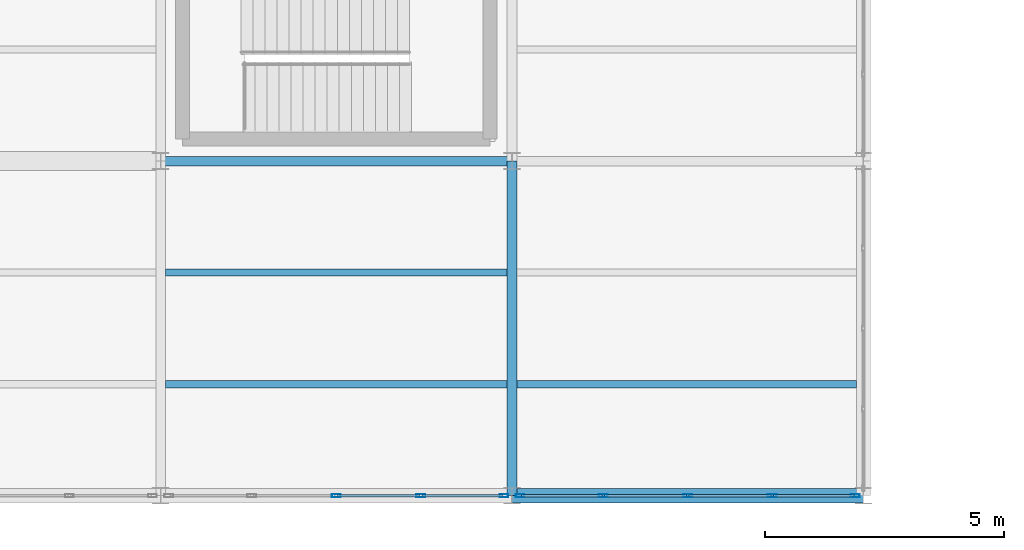
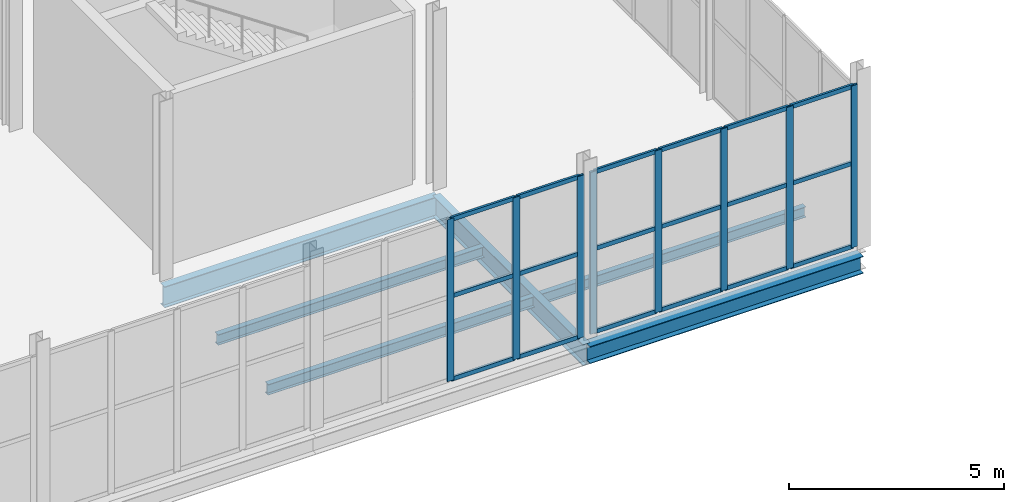
# One storey, part 39 of 218: 26 members, 6 beams, 2 elements without a shape of their own.
"""IFC4 building model written with IfcOpenShell, lengths in metres."""

import ifcopenshell
import ifcopenshell.guid

model = None  # the IFC model being written
_history = None  # IfcOwnerHistory: only IFC2X3 demands one
_inside = {}  # id of a spatial element -> (the spatial element, [elements in it])
_under = {}  # id of a project, library or spatial element -> (it, [spatial elements below it])
_declared = {}  # id of a project -> (the project, [libraries it declares])
_typed = {}  # id of a type object -> (the type object, [elements of that type])
_made_of = {}  # id of a material, layer set ... -> (it, [elements and type objects made of it])


def new_model(schema):
    """Start an empty IFC model of exactly this schema.

    Asked for "IFC4X3", IfcOpenShell would pick the latest addendum, in which some entities
    have other attributes; the version numbers below select the first issue.
    IFC2X3 requires an IfcOwnerHistory on every rooted entity: one is made here for all.
    """
    global model, _history
    if schema == "IFC4X3":
        model = ifcopenshell.file(schema_version=(4, 3, 0, 0))
    else:
        model = ifcopenshell.file(schema=schema)
    _inside.clear()
    _under.clear()
    _declared.clear()
    _typed.clear()
    _made_of.clear()
    _history = None
    if model.schema == "IFC2X3":
        org = make("IfcOrganization", Name="unknown")
        user = make(
            "IfcPersonAndOrganization",
            ThePerson=make("IfcPerson", FamilyName="unknown"),
            TheOrganization=org,
        )
        app = make(
            "IfcApplication",
            ApplicationDeveloper=org,
            Version="unknown",
            ApplicationFullName="unknown",
            ApplicationIdentifier="unknown",
        )
        _history = make(
            "IfcOwnerHistory",
            OwningUser=user,
            OwningApplication=app,
            ChangeAction="ADDED",
            CreationDate=0,
        )
    return model


def make(cls, **values):
    """One entity of the class cls with the attributes given. An attribute that is None is left unset."""
    return model.create_entity(
        cls, **{name: value for name, value in values.items() if value is not None}
    )


def rooted(cls, **values):
    """An entity with a GlobalId (a new one), such as an element, a storey or a relation."""
    return make(cls, GlobalId=ifcopenshell.guid.new(), OwnerHistory=_history, **values)


def si_unit(unit_type, name, prefix=None):
    """IfcSIUnit, for example si_unit("LENGTHUNIT", "METRE", prefix="MILLI")."""
    return make("IfcSIUnit", UnitType=unit_type, Prefix=prefix, Name=name)


def assignment(units):
    """IfcUnitAssignment: the units of a project."""
    return None if units is None else make("IfcUnitAssignment", Units=units)


def point(xyz):
    """IfcCartesianPoint."""
    return None if xyz is None else make("IfcCartesianPoint", Coordinates=xyz)


def direction(xyz):
    """IfcDirection."""
    return None if xyz is None else make("IfcDirection", DirectionRatios=xyz)


def frame(location, z_axis=None, x_axis=None):
    """IfcAxis2Placement3D, a coordinate frame: its origin and axes. An axis left out is left unset."""
    return make(
        "IfcAxis2Placement3D",
        Location=point(location),
        Axis=direction(z_axis),
        RefDirection=direction(x_axis),
    )


def frame_2d(location, x_axis=None):
    """IfcAxis2Placement2D, a coordinate frame in the plane: its origin and x axis."""
    return make(
        "IfcAxis2Placement2D", Location=point(location), RefDirection=direction(x_axis)
    )


def origin():
    """The frame at (0, 0, 0) with its axes left unset."""
    return frame((0.0, 0.0, 0.0))


def origin_2d():
    """The frame at (0, 0) in the plane with its x axis left unset."""
    return frame_2d((0.0, 0.0))


def place(relative_to, where):
    """IfcLocalPlacement: puts the frame where relative to a parent placement (None: the world)."""
    return make(
        "IfcLocalPlacement", PlacementRelTo=relative_to, RelativePlacement=where
    )


def context(
    kind, dimensions, precision=None, world=None, true_north=None, identifier=None
):
    """IfcGeometricRepresentationContext, for example the 3D "Model" context."""
    return make(
        "IfcGeometricRepresentationContext",
        ContextIdentifier=identifier,
        ContextType=kind,
        CoordinateSpaceDimension=dimensions,
        Precision=precision,
        WorldCoordinateSystem=world,
        TrueNorth=true_north,
    )


def subcontext(parent, identifier, kind, view, scale=None):
    """IfcGeometricRepresentationSubContext, for example "Body" below "Model"."""
    return make(
        "IfcGeometricRepresentationSubContext",
        ContextIdentifier=identifier,
        ContextType=kind,
        ParentContext=parent,
        TargetScale=scale,
        TargetView=view,
    )


def project(units=None, contexts=None):
    """IfcProject with its units and contexts."""
    return rooted(
        "IfcProject",
        Name="project",
        RepresentationContexts=contexts,
        UnitsInContext=assignment(units),
    )


def spatial(cls, under=None, at=None, **own):
    """A site, building, storey or space (cls), placed at a placement, below another one or the project."""
    s = rooted(cls, ObjectPlacement=at, **own)
    if under is not None:
        _under.setdefault(under.id(), (under, []))[1].append(s)
    return s


def profile(cls, at=None, kind="AREA", **sizes):
    """A parametric profile (cls). Its sizes go by their IFC names, for example OverallWidth=200.0."""
    return make(cls, ProfileType=kind, Position=at, **sizes)


def hollow_rectangle(**sizes):
    """IfcRectangleHollowProfileDef."""
    return profile("IfcRectangleHollowProfileDef", **sizes)


def i_section(**sizes):
    """IfcIShapeProfileDef."""
    return profile("IfcIShapeProfileDef", **sizes)


def extrude(swept, where, along, depth):
    """IfcExtrudedAreaSolid: the profile swept, set in the frame where, extruded along a direction by depth."""
    return make(
        "IfcExtrudedAreaSolid",
        SweptArea=swept,
        Position=where,
        ExtrudedDirection=direction(along),
        Depth=depth,
    )


def shape(context_of_items, identifier, shape_type, items):
    """IfcShapeRepresentation: the items that make up one representation, for example the "Body"."""
    return make(
        "IfcShapeRepresentation",
        ContextOfItems=context_of_items,
        RepresentationIdentifier=identifier,
        RepresentationType=shape_type,
        Items=items,
    )


def material(Name=None, Category=None):
    """IfcMaterial."""
    return make("IfcMaterial", Name=Name, Category=Category)


def material_profile(
    of_material, cross_section, Name=None, Category=None, Priority=None
):
    """IfcMaterialProfile: a cross section and its material."""
    return make(
        "IfcMaterialProfile",
        Name=Name,
        Material=of_material,
        Profile=cross_section,
        Priority=Priority,
        Category=Category,
    )


def profile_set(profiles, Name=None, composite=None):
    """IfcMaterialProfileSet."""
    return make(
        "IfcMaterialProfileSet",
        Name=Name,
        MaterialProfiles=profiles,
        CompositeProfile=composite,
    )


def made_of(thing, what):
    """Note that an element or type object is made of a material, layer set ...; save() writes the relation."""
    if what is not None:
        _made_of.setdefault(what.id(), (what, []))[1].append(thing)
    return thing


def type_object(cls, material=None, **own):
    """A type object (cls), such as IfcWallType, which elements share."""
    return made_of(rooted(cls, **own), material)


def element(
    cls,
    number,
    at=None,
    inside=None,
    cuts=None,
    type_object=None,
    material=None,
    context=None,
    identifier="Body",
    shape_type=None,
    held_by="IfcProductDefinitionShape",
    body=None,
    shapes=None,
    **own,
):
    """One element of the class cls, such as IfcWall. Its Tag is "e" and its number.

    at: its placement. inside: the storey or other place that contains it. cuts: it is an
    opening in that element (IfcRelVoidsElement). A single representation is given by context,
    identifier, shape_type and body (its items); several are given by shapes. held_by: the class
    of the entity that holds the representations. save() writes the other relations.
    """
    e = rooted(cls, Tag="e%d" % number, ObjectPlacement=at, **own)
    if body is not None:
        shapes = [shape(context, identifier, shape_type, body)]
    if shapes is not None:
        e.Representation = make(held_by, Representations=shapes)
    if inside is not None:
        _inside.setdefault(inside.id(), (inside, []))[1].append(e)
    if cuts is not None:
        rooted(
            "IfcRelVoidsElement", RelatingBuildingElement=cuts, RelatedOpeningElement=e
        )
    if type_object is not None:
        _typed.setdefault(type_object.id(), (type_object, []))[1].append(e)
    return made_of(e, material)


def aggregate(whole, parts):
    """IfcRelAggregates: a whole, such as a stair, and the parts it consists of."""
    return rooted("IfcRelAggregates", RelatingObject=whole, RelatedObjects=parts)


def save(model, path):
    """Write the relations noted so far, then the file.

    IfcRelAggregates (storeys below a building ...), IfcRelContainedInSpatialStructure (elements
    in a storey), IfcRelDefinesByType, IfcRelAssociatesMaterial and IfcRelDeclares: one each for
    every whole, place, type object, material and project.
    """
    for whole, parts in _under.values():
        aggregate(whole, parts)
    for where, things in _inside.values():
        rooted(
            "IfcRelContainedInSpatialStructure",
            RelatedElements=things,
            RelatingStructure=where,
        )
    for kind, things in _typed.values():
        rooted("IfcRelDefinesByType", RelatedObjects=things, RelatingType=kind)
    for what, things in _made_of.values():
        rooted("IfcRelAssociatesMaterial", RelatedObjects=things, RelatingMaterial=what)
    for by, libraries in _declared.values():
        rooted("IfcRelDeclares", RelatingContext=by, RelatedDefinitions=libraries)
    model.write(path)


model = new_model("IFC4")

# Units and contexts
model_context = context("Model", 3, precision=1e-05, world=origin(), true_north=direction((0.0, 1.0)))
body_context = subcontext(model_context, "Body", "Model", "MODEL_VIEW")
ifc_project = project(units=[si_unit("LENGTHUNIT", "METRE"), si_unit("AREAUNIT", "SQUARE_METRE"), si_unit("VOLUMEUNIT", "CUBIC_METRE"), si_unit("PLANEANGLEUNIT", "RADIAN"), si_unit("MASSUNIT", "GRAM", prefix="KILO")], contexts=[model_context])

# Site, building, storey
site_placement = place(None, origin())
site = spatial("IfcSite", under=ifc_project, at=site_placement, CompositionType="ELEMENT")
building_placement = place(site_placement, origin())
building = spatial("IfcBuilding", under=site, at=building_placement, Name="Kazenagashi Tramway Depot", CompositionType="ELEMENT")
storey_placement = place(building_placement, frame((0.0, 0.0, 6.0)))
storey = spatial("IfcBuildingStorey", under=building, at=storey_placement, Name="L02", CompositionType="ELEMENT", Elevation=6.0)

# Beams
ifc_material_1 = material(Name="Steel SN490B", Category="steel")
ifc_material_profile_1 = material_profile(ifc_material_1, i_section(OverallWidth=0.2, OverallDepth=0.6, WebThickness=0.011, FlangeThickness=0.017, at=origin_2d()), Name="H-600x200x11x17")
ifc_profile_set_1 = profile_set([ifc_material_profile_1], Name="Steel SN490B")
beam_type_1 = type_object("IfcBeamType", Name="G-03", PredefinedType="BEAM", material=ifc_profile_set_1)
beam_1_placement = place(storey_placement, frame((29.4, 7.0, -0.55), z_axis=(1.0, 0.0, 0.0), x_axis=(0.0, 1.0, 0.0)))
element("IfcBeam", 1, at=beam_1_placement, inside=storey, type_object=beam_type_1, Name="Beam G-03 BM-0013", PredefinedType="BEAM", context=body_context, shape_type="SweptSolid", body=[
    extrude(i_section(OverallWidth=0.2, OverallDepth=0.6, WebThickness=0.011, FlangeThickness=0.017, at=origin_2d()), origin(), (0.0, 0.0, 1.0), 7.35),
])
beam_2_placement = place(storey_placement, frame((36.75, 0.0, -0.55), z_axis=(0.0, 1.0, 0.0), x_axis=(-1.0, 0.0, 0.0)))
element("IfcBeam", 2, at=beam_2_placement, inside=storey, type_object=beam_type_1, Name="Beam G-03 BM-0182", PredefinedType="BEAM", context=body_context, shape_type="SweptSolid", body=[
    extrude(i_section(OverallWidth=0.2, OverallDepth=0.6, WebThickness=0.011, FlangeThickness=0.017, at=origin_2d()), origin(), (0.0, 0.0, 1.0), 7.0),
])
ifc_material_2 = material(Name="Steel SN400B", Category="steel")
ifc_material_profile_2 = material_profile(ifc_material_2, i_section(OverallWidth=0.15, OverallDepth=0.3, WebThickness=0.0065, FlangeThickness=0.009, at=origin_2d()), Name="H-300x150x6.5x9")
ifc_profile_set_2 = profile_set([ifc_material_profile_2], Name="Steel SN400B")
beam_type_2 = type_object("IfcBeamType", Name="J-02", PredefinedType="JOIST", material=ifc_profile_set_2)
for number, where, z_axis, x_axis, name in (
    (3, (29.5, 2.333, -0.4), (1.0, 0.0, 0.0), (0.0, 1.0, 0.0), "Beam J-02 BM-0157"),
    (4, (29.5, 4.667, -0.4), (1.0, 0.0, 0.0), (0.0, 1.0, 0.0), "Beam J-02 BM-0158"),
):
    element("IfcBeam", number, at=place(storey_placement, frame(where, z_axis=z_axis, x_axis=x_axis)), inside=storey, type_object=beam_type_2, Name=name, PredefinedType="JOIST", context=body_context, shape_type="SweptSolid", body=[
        extrude(i_section(OverallWidth=0.15, OverallDepth=0.3, WebThickness=0.0065, FlangeThickness=0.009, at=origin_2d()), origin(), (0.0, 0.0, 1.0), 7.15),
    ])
beam_3_placement = place(storey_placement, frame((36.85, 2.333, -0.4), z_axis=(1.0, 0.0, 0.0), x_axis=(0.0, 1.0, 0.0)))
element("IfcBeam", 5, at=beam_3_placement, inside=storey, type_object=beam_type_2, Name="Beam J-02 BM-0183", PredefinedType="JOIST", context=body_context, shape_type="SweptSolid", body=[
    extrude(i_section(OverallWidth=0.15, OverallDepth=0.3, WebThickness=0.0065, FlangeThickness=0.009, at=origin_2d()), origin(), (0.0, 0.0, 1.0), 7.1),
])

# Curtain wall, members
ifc_material_3 = material(Name="Anodised Aluminium and Low-E Glazing", Category="aluminium")
curtain_wall_type = type_object("IfcCurtainWallType", Name="CW-25", PredefinedType="USERDEFINED", material=ifc_material_3)
curtain_wall_1_placement = place(storey_placement, origin())
curtain_wall_1 = element("IfcCurtainWall", 6, at=curtain_wall_1_placement, inside=storey, type_object=curtain_wall_type, Name="Industrial Glazed Screen CW-25 CW-0141", ObjectType="GLAZED SCREEN", PredefinedType="USERDEFINED")
ifc_material_4 = material(Name="Anodised Aluminium", Category="aluminium")
ifc_material_profile_3 = material_profile(ifc_material_4, hollow_rectangle(XDim=0.07, YDim=0.18, WallThickness=0.005, at=origin_2d()), Name="RHS-180x70x5")
ifc_profile_set_3 = profile_set([ifc_material_profile_3], Name="Anodised Aluminium")
member_type_1 = type_object("IfcMemberType", Name="ML-02", PredefinedType="MULLION", material=ifc_profile_set_3)
member_1_placement = place(storey_placement, frame((33.075, 0.0, 0.0), z_axis=(0.0, 0.0, 1.0), x_axis=(0.0, 1.0, 0.0)))
member_1 = element("IfcMember", 7, at=member_1_placement, type_object=member_type_1, Name="CW-25 mullion 3", PredefinedType="MULLION", context=body_context, shape_type="SweptSolid", body=[
    extrude(hollow_rectangle(XDim=0.07, YDim=0.18, WallThickness=0.005, at=origin_2d()), origin(), (0.0, 0.0, 1.0), 4.6),
])
member_2_placement = place(storey_placement, frame((34.8425, 0.0, 0.0), z_axis=(0.0, 0.0, 1.0), x_axis=(0.0, 1.0, 0.0)))
member_2 = element("IfcMember", 8, at=member_2_placement, type_object=member_type_1, Name="CW-25 mullion 4", PredefinedType="MULLION", context=body_context, shape_type="SweptSolid", body=[
    extrude(hollow_rectangle(XDim=0.07, YDim=0.18, WallThickness=0.005, at=origin_2d()), origin(), (0.0, 0.0, 1.0), 4.6),
])
member_3_placement = place(storey_placement, frame((36.58, 0.0, 0.0), z_axis=(0.0, 0.0, 1.0), x_axis=(0.0, 1.0, 0.0)))
member_3 = element("IfcMember", 9, at=member_3_placement, type_object=member_type_1, Name="CW-25 mullion 5", PredefinedType="MULLION", context=body_context, shape_type="SweptSolid", body=[
    extrude(hollow_rectangle(XDim=0.07, YDim=0.18, WallThickness=0.005, at=origin_2d()), origin(), (0.0, 0.0, 1.0), 4.6),
])

curtain_wall_2_placement = place(storey_placement, origin())
curtain_wall_2 = element("IfcCurtainWall", 10, at=curtain_wall_2_placement, inside=storey, type_object=curtain_wall_type, Name="Industrial Glazed Screen CW-25 CW-0143", ObjectType="GLAZED SCREEN", PredefinedType="USERDEFINED")
member_4_placement = place(storey_placement, frame((36.92, 0.0, 0.0), z_axis=(0.0, 0.0, 1.0), x_axis=(0.0, 1.0, 0.0)))
member_4 = element("IfcMember", 11, at=member_4_placement, type_object=member_type_1, Name="CW-25 mullion 1", PredefinedType="MULLION", context=body_context, shape_type="SweptSolid", body=[
    extrude(hollow_rectangle(XDim=0.07, YDim=0.18, WallThickness=0.005, at=origin_2d()), origin(), (0.0, 0.0, 1.0), 4.6),
])
member_5_placement = place(storey_placement, frame((38.6575, 0.0, 0.0), z_axis=(0.0, 0.0, 1.0), x_axis=(0.0, 1.0, 0.0)))
member_5 = element("IfcMember", 12, at=member_5_placement, type_object=member_type_1, Name="CW-25 mullion 2", PredefinedType="MULLION", context=body_context, shape_type="SweptSolid", body=[
    extrude(hollow_rectangle(XDim=0.07, YDim=0.18, WallThickness=0.005, at=origin_2d()), origin(), (0.0, 0.0, 1.0), 4.6),
])
member_6_placement = place(storey_placement, frame((40.425, 0.0, 0.0), z_axis=(0.0, 0.0, 1.0), x_axis=(0.0, 1.0, 0.0)))
member_6 = element("IfcMember", 13, at=member_6_placement, type_object=member_type_1, Name="CW-25 mullion 3", PredefinedType="MULLION", context=body_context, shape_type="SweptSolid", body=[
    extrude(hollow_rectangle(XDim=0.07, YDim=0.18, WallThickness=0.005, at=origin_2d()), origin(), (0.0, 0.0, 1.0), 4.6),
])
member_7_placement = place(storey_placement, frame((42.1925, 0.0, 0.0), z_axis=(0.0, 0.0, 1.0), x_axis=(0.0, 1.0, 0.0)))
member_7 = element("IfcMember", 14, at=member_7_placement, type_object=member_type_1, Name="CW-25 mullion 4", PredefinedType="MULLION", context=body_context, shape_type="SweptSolid", body=[
    extrude(hollow_rectangle(XDim=0.07, YDim=0.18, WallThickness=0.005, at=origin_2d()), origin(), (0.0, 0.0, 1.0), 4.6),
])
member_8_placement = place(storey_placement, frame((43.93, 0.0, 0.0), z_axis=(0.0, 0.0, 1.0), x_axis=(0.0, 1.0, 0.0)))
member_8 = element("IfcMember", 15, at=member_8_placement, type_object=member_type_1, Name="CW-25 mullion 5", PredefinedType="MULLION", context=body_context, shape_type="SweptSolid", body=[
    extrude(hollow_rectangle(XDim=0.07, YDim=0.18, WallThickness=0.005, at=origin_2d()), origin(), (0.0, 0.0, 1.0), 4.6),
])

# Beam
ifc_material_profile_4 = material_profile(ifc_material_1, i_section(OverallWidth=0.3, OverallDepth=0.488, WebThickness=0.011, FlangeThickness=0.018, at=origin_2d()), Name="H-488x300x11x18")
ifc_profile_set_4 = profile_set([ifc_material_profile_4], Name="Steel SN490B")
beam_type_3 = type_object("IfcBeamType", Name="SP-02", PredefinedType="SPANDREL", material=ifc_profile_set_4)
beam_4_placement = place(storey_placement, frame((36.75, 0.0, -0.494), z_axis=(1.0, 0.0, 0.0), x_axis=(0.0, 1.0, 0.0)))
element("IfcBeam", 16, at=beam_4_placement, inside=storey, type_object=beam_type_3, Name="Beam SP-02 BM-0012", PredefinedType="SPANDREL", context=body_context, shape_type="SweptSolid", body=[
    extrude(i_section(OverallWidth=0.3, OverallDepth=0.488, WebThickness=0.011, FlangeThickness=0.018, at=origin_2d()), origin(), (0.0, 0.0, 1.0), 7.35),
])

# Member
ifc_material_profile_5 = material_profile(ifc_material_4, hollow_rectangle(XDim=0.06, YDim=0.12, WallThickness=0.004, at=origin_2d()), Name="RHS-120x60x4")
ifc_profile_set_5 = profile_set([ifc_material_profile_5], Name="Anodised Aluminium")
member_type_2 = type_object("IfcMemberType", Name="TR-01", PredefinedType="USERDEFINED", material=ifc_profile_set_5)
member_9_placement = place(storey_placement, frame((33.105, 0.0, 0.03), z_axis=(1.0, 0.0, 0.0), x_axis=(0.0, 1.0, 0.0)))
member_9 = element("IfcMember", 17, at=member_9_placement, type_object=member_type_2, Name="CW-25 transom 3.1", ObjectType="TRANSOM", PredefinedType="USERDEFINED", context=body_context, shape_type="SweptSolid", body=[
    extrude(hollow_rectangle(XDim=0.06, YDim=0.12, WallThickness=0.004, at=origin_2d()), origin(), (0.0, 0.0, 1.0), 1.7075),
])

member_10_placement = place(storey_placement, frame((33.105, 0.0, 2.392), z_axis=(1.0, 0.0, 0.0), x_axis=(0.0, 1.0, 0.0)))
member_10 = element("IfcMember", 18, at=member_10_placement, type_object=member_type_2, Name="CW-25 transom 3.2", ObjectType="TRANSOM", PredefinedType="USERDEFINED", context=body_context, shape_type="SweptSolid", body=[
    extrude(hollow_rectangle(XDim=0.06, YDim=0.12, WallThickness=0.004, at=origin_2d()), origin(), (0.0, 0.0, 1.0), 1.7075),
])

member_11_placement = place(storey_placement, frame((33.105, 0.0, 4.57), z_axis=(1.0, 0.0, 0.0), x_axis=(0.0, 1.0, 0.0)))
member_11 = element("IfcMember", 19, at=member_11_placement, type_object=member_type_2, Name="CW-25 transom 3.3", ObjectType="TRANSOM", PredefinedType="USERDEFINED", context=body_context, shape_type="SweptSolid", body=[
    extrude(hollow_rectangle(XDim=0.06, YDim=0.12, WallThickness=0.004, at=origin_2d()), origin(), (0.0, 0.0, 1.0), 1.7075),
])

member_12_placement = place(storey_placement, frame((34.8725, 0.0, 0.03), z_axis=(1.0, 0.0, 0.0), x_axis=(0.0, 1.0, 0.0)))
member_12 = element("IfcMember", 20, at=member_12_placement, type_object=member_type_2, Name="CW-25 transom 4.1", ObjectType="TRANSOM", PredefinedType="USERDEFINED", context=body_context, shape_type="SweptSolid", body=[
    extrude(hollow_rectangle(XDim=0.06, YDim=0.12, WallThickness=0.004, at=origin_2d()), origin(), (0.0, 0.0, 1.0), 1.6775),
])

member_13_placement = place(storey_placement, frame((34.8725, 0.0, 2.392), z_axis=(1.0, 0.0, 0.0), x_axis=(0.0, 1.0, 0.0)))
member_13 = element("IfcMember", 21, at=member_13_placement, type_object=member_type_2, Name="CW-25 transom 4.2", ObjectType="TRANSOM", PredefinedType="USERDEFINED", context=body_context, shape_type="SweptSolid", body=[
    extrude(hollow_rectangle(XDim=0.06, YDim=0.12, WallThickness=0.004, at=origin_2d()), origin(), (0.0, 0.0, 1.0), 1.6775),
])

member_14_placement = place(storey_placement, frame((34.8725, 0.0, 4.57), z_axis=(1.0, 0.0, 0.0), x_axis=(0.0, 1.0, 0.0)))
member_14 = element("IfcMember", 22, at=member_14_placement, type_object=member_type_2, Name="CW-25 transom 4.3", ObjectType="TRANSOM", PredefinedType="USERDEFINED", context=body_context, shape_type="SweptSolid", body=[
    extrude(hollow_rectangle(XDim=0.06, YDim=0.12, WallThickness=0.004, at=origin_2d()), origin(), (0.0, 0.0, 1.0), 1.6775),
])

aggregate(curtain_wall_1, [member_1, member_2, member_3, member_9, member_10, member_11, member_12, member_13, member_14])

member_15_placement = place(storey_placement, frame((36.95, 0.0, 0.03), z_axis=(1.0, 0.0, 0.0), x_axis=(0.0, 1.0, 0.0)))
member_15 = element("IfcMember", 23, at=member_15_placement, type_object=member_type_2, Name="CW-25 transom 1.1", ObjectType="TRANSOM", PredefinedType="USERDEFINED", context=body_context, shape_type="SweptSolid", body=[
    extrude(hollow_rectangle(XDim=0.06, YDim=0.12, WallThickness=0.004, at=origin_2d()), origin(), (0.0, 0.0, 1.0), 1.6775),
])

member_16_placement = place(storey_placement, frame((36.95, 0.0, 2.392), z_axis=(1.0, 0.0, 0.0), x_axis=(0.0, 1.0, 0.0)))
member_16 = element("IfcMember", 24, at=member_16_placement, type_object=member_type_2, Name="CW-25 transom 1.2", ObjectType="TRANSOM", PredefinedType="USERDEFINED", context=body_context, shape_type="SweptSolid", body=[
    extrude(hollow_rectangle(XDim=0.06, YDim=0.12, WallThickness=0.004, at=origin_2d()), origin(), (0.0, 0.0, 1.0), 1.6775),
])

member_17_placement = place(storey_placement, frame((36.95, 0.0, 4.57), z_axis=(1.0, 0.0, 0.0), x_axis=(0.0, 1.0, 0.0)))
member_17 = element("IfcMember", 25, at=member_17_placement, type_object=member_type_2, Name="CW-25 transom 1.3", ObjectType="TRANSOM", PredefinedType="USERDEFINED", context=body_context, shape_type="SweptSolid", body=[
    extrude(hollow_rectangle(XDim=0.06, YDim=0.12, WallThickness=0.004, at=origin_2d()), origin(), (0.0, 0.0, 1.0), 1.6775),
])

member_18_placement = place(storey_placement, frame((38.6875, 0.0, 0.03), z_axis=(1.0, 0.0, 0.0), x_axis=(0.0, 1.0, 0.0)))
member_18 = element("IfcMember", 26, at=member_18_placement, type_object=member_type_2, Name="CW-25 transom 2.1", ObjectType="TRANSOM", PredefinedType="USERDEFINED", context=body_context, shape_type="SweptSolid", body=[
    extrude(hollow_rectangle(XDim=0.06, YDim=0.12, WallThickness=0.004, at=origin_2d()), origin(), (0.0, 0.0, 1.0), 1.7075),
])

member_19_placement = place(storey_placement, frame((38.6875, 0.0, 2.392), z_axis=(1.0, 0.0, 0.0), x_axis=(0.0, 1.0, 0.0)))
member_19 = element("IfcMember", 27, at=member_19_placement, type_object=member_type_2, Name="CW-25 transom 2.2", ObjectType="TRANSOM", PredefinedType="USERDEFINED", context=body_context, shape_type="SweptSolid", body=[
    extrude(hollow_rectangle(XDim=0.06, YDim=0.12, WallThickness=0.004, at=origin_2d()), origin(), (0.0, 0.0, 1.0), 1.7075),
])

member_20_placement = place(storey_placement, frame((38.6875, 0.0, 4.57), z_axis=(1.0, 0.0, 0.0), x_axis=(0.0, 1.0, 0.0)))
member_20 = element("IfcMember", 28, at=member_20_placement, type_object=member_type_2, Name="CW-25 transom 2.3", ObjectType="TRANSOM", PredefinedType="USERDEFINED", context=body_context, shape_type="SweptSolid", body=[
    extrude(hollow_rectangle(XDim=0.06, YDim=0.12, WallThickness=0.004, at=origin_2d()), origin(), (0.0, 0.0, 1.0), 1.7075),
])

member_21_placement = place(storey_placement, frame((40.455, 0.0, 0.03), z_axis=(1.0, 0.0, 0.0), x_axis=(0.0, 1.0, 0.0)))
member_21 = element("IfcMember", 29, at=member_21_placement, type_object=member_type_2, Name="CW-25 transom 3.1", ObjectType="TRANSOM", PredefinedType="USERDEFINED", context=body_context, shape_type="SweptSolid", body=[
    extrude(hollow_rectangle(XDim=0.06, YDim=0.12, WallThickness=0.004, at=origin_2d()), origin(), (0.0, 0.0, 1.0), 1.7075),
])

member_22_placement = place(storey_placement, frame((40.455, 0.0, 2.392), z_axis=(1.0, 0.0, 0.0), x_axis=(0.0, 1.0, 0.0)))
member_22 = element("IfcMember", 30, at=member_22_placement, type_object=member_type_2, Name="CW-25 transom 3.2", ObjectType="TRANSOM", PredefinedType="USERDEFINED", context=body_context, shape_type="SweptSolid", body=[
    extrude(hollow_rectangle(XDim=0.06, YDim=0.12, WallThickness=0.004, at=origin_2d()), origin(), (0.0, 0.0, 1.0), 1.7075),
])

member_23_placement = place(storey_placement, frame((40.455, 0.0, 4.57), z_axis=(1.0, 0.0, 0.0), x_axis=(0.0, 1.0, 0.0)))
member_23 = element("IfcMember", 31, at=member_23_placement, type_object=member_type_2, Name="CW-25 transom 3.3", ObjectType="TRANSOM", PredefinedType="USERDEFINED", context=body_context, shape_type="SweptSolid", body=[
    extrude(hollow_rectangle(XDim=0.06, YDim=0.12, WallThickness=0.004, at=origin_2d()), origin(), (0.0, 0.0, 1.0), 1.7075),
])

member_24_placement = place(storey_placement, frame((42.2225, 0.0, 0.03), z_axis=(1.0, 0.0, 0.0), x_axis=(0.0, 1.0, 0.0)))
member_24 = element("IfcMember", 32, at=member_24_placement, type_object=member_type_2, Name="CW-25 transom 4.1", ObjectType="TRANSOM", PredefinedType="USERDEFINED", context=body_context, shape_type="SweptSolid", body=[
    extrude(hollow_rectangle(XDim=0.06, YDim=0.12, WallThickness=0.004, at=origin_2d()), origin(), (0.0, 0.0, 1.0), 1.6775),
])

member_25_placement = place(storey_placement, frame((42.2225, 0.0, 2.392), z_axis=(1.0, 0.0, 0.0), x_axis=(0.0, 1.0, 0.0)))
member_25 = element("IfcMember", 33, at=member_25_placement, type_object=member_type_2, Name="CW-25 transom 4.2", ObjectType="TRANSOM", PredefinedType="USERDEFINED", context=body_context, shape_type="SweptSolid", body=[
    extrude(hollow_rectangle(XDim=0.06, YDim=0.12, WallThickness=0.004, at=origin_2d()), origin(), (0.0, 0.0, 1.0), 1.6775),
])

member_26_placement = place(storey_placement, frame((42.2225, 0.0, 4.57), z_axis=(1.0, 0.0, 0.0), x_axis=(0.0, 1.0, 0.0)))
member_26 = element("IfcMember", 34, at=member_26_placement, type_object=member_type_2, Name="CW-25 transom 4.3", ObjectType="TRANSOM", PredefinedType="USERDEFINED", context=body_context, shape_type="SweptSolid", body=[
    extrude(hollow_rectangle(XDim=0.06, YDim=0.12, WallThickness=0.004, at=origin_2d()), origin(), (0.0, 0.0, 1.0), 1.6775),
])

aggregate(curtain_wall_2, [member_4, member_5, member_6, member_7, member_8, member_15, member_16, member_17, member_18, member_19, member_20, member_21, member_22, member_23, member_24, member_25, member_26])

save(model, "model.ifc")
